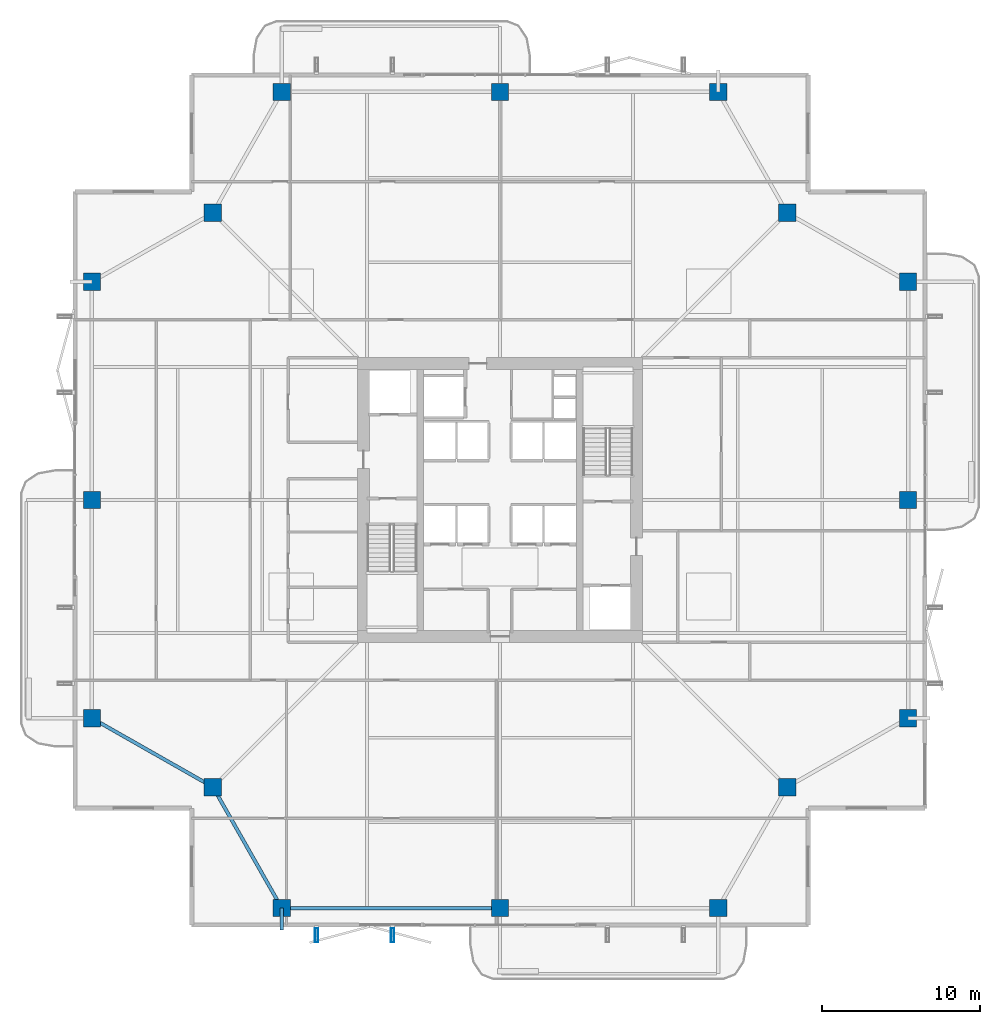
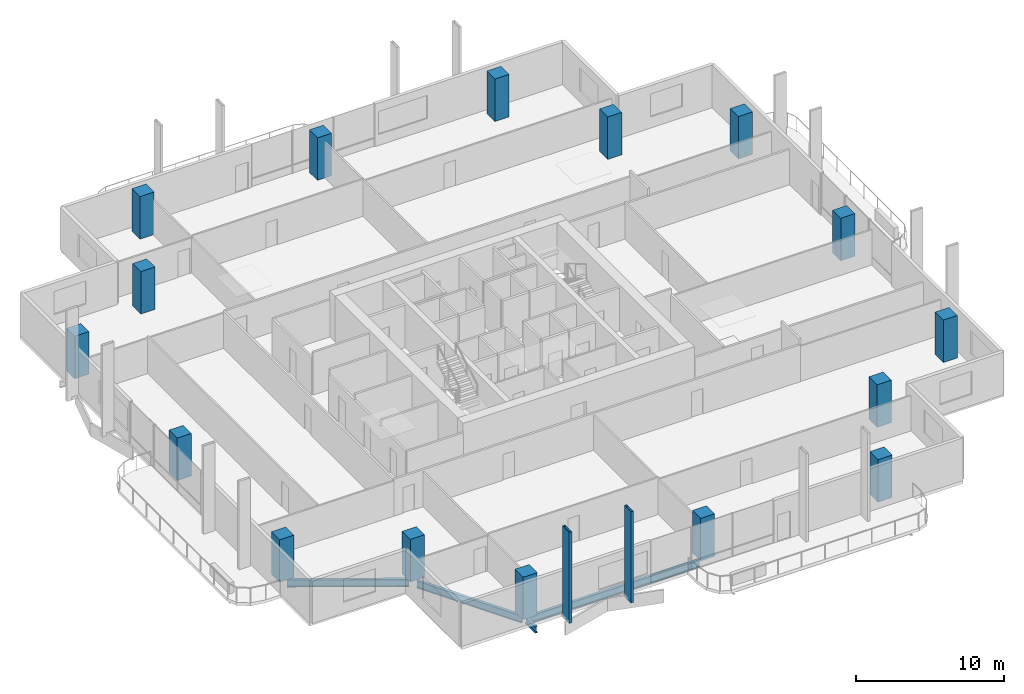
# One storey, part 1 of 24: 16 columns, 4 beams, 2 members.
"""IFC4 building model written with IfcOpenShell, lengths in metres."""

from ifc_helpers import new_model, si_unit, direction, frame, origin, origin_2d, place, context, subcontext, project, spatial, rectangle, hollow_rectangle, i_section, extrude, material, material_profile, profile_set, type_object, element, save


model = new_model("IFC4")

# Units and contexts
model_context = context("Model", 3, precision=1e-05, world=origin(), true_north=direction((0.0, 1.0)))
body_context = subcontext(model_context, "Body", "Model", "MODEL_VIEW")
ifc_project = project(units=[si_unit("LENGTHUNIT", "METRE"), si_unit("AREAUNIT", "SQUARE_METRE"), si_unit("VOLUMEUNIT", "CUBIC_METRE"), si_unit("PLANEANGLEUNIT", "RADIAN"), si_unit("MASSUNIT", "GRAM", prefix="KILO")], contexts=[model_context])

# Site, building, storey
site_placement = place(None, origin())
site = spatial("IfcSite", under=ifc_project, at=site_placement, CompositionType="ELEMENT")
building_placement = place(site_placement, origin())
building = spatial("IfcBuilding", under=site, at=building_placement, Name="Belovzor Exchange Tower", CompositionType="ELEMENT")
storey_placement = place(building_placement, frame((0.0, 0.0, 226.199951171875)))
storey = spatial("IfcBuildingStorey", under=building, at=storey_placement, Name="L56", CompositionType="ELEMENT", Elevation=226.199951171875)

# Columns
ifc_material_1 = material(Name="Concrete C50/60", Category="concrete")
ifc_material_profile_1 = material_profile(ifc_material_1, rectangle(XDim=1.10009765625, YDim=1.10009765625, at=origin_2d()))
ifc_profile_set_1 = profile_set([ifc_material_profile_1], Name="Concrete C50/60")
column_type = type_object("IfcColumnType", Name="Reinforced Concrete Tower Column 1100x1100", PredefinedType="COLUMN", material=ifc_profile_set_1)
for number, where, z_axis, x_axis, name in (
    (1, (15.0, 3.0, 0.0029296875), (0.0, 0.0, 1.0), (1.0, 0.0, 0.0), "COL-T110 Reinforced Concrete Tower Column 1100x1100"),
    (2, (28.800048828125, 3.0, 0.0029296875), (0.0, 0.0, 1.0), (1.0, 0.0, 0.0), "COL-T110 Reinforced Concrete Tower Column 1100x1100"),
    (3, (42.60009765625, 3.0, 0.0029296875), (0.0, 0.0, 1.0), (1.0, 0.0, 0.0), "COL-T110 Reinforced Concrete Tower Column 1100x1100"),
    (4, (54.60009765625, 15.0, 0.0029296875), (0.0, 0.0, 1.0), (1.0, 0.0, 0.0), "COL-T110 Reinforced Concrete Tower Column 1100x1100"),
    (5, (54.60009765625, 28.800048828125, 0.0029296875), (0.0, 0.0, 1.0), (1.0, 0.0, 0.0), "COL-T110 Reinforced Concrete Tower Column 1100x1100"),
    (6, (54.60009765625, 42.60009765625, 0.0029296875), (0.0, 0.0, 1.0), (1.0, 0.0, 0.0), "COL-T110 Reinforced Concrete Tower Column 1100x1100"),
    (7, (42.60009765625, 54.60009765625, 0.0029296875), (0.0, 0.0, 1.0), (1.0, 0.0, 0.0), "COL-T110 Reinforced Concrete Tower Column 1100x1100"),
    (8, (28.800048828125, 54.60009765625, 0.0029296875), (0.0, 0.0, 1.0), (1.0, 0.0, 0.0), "COL-T110 Reinforced Concrete Tower Column 1100x1100"),
    (9, (15.0, 54.60009765625, 0.0029296875), (0.0, 0.0, 1.0), (1.0, 0.0, 0.0), "COL-T110 Reinforced Concrete Tower Column 1100x1100"),
    (10, (3.0, 42.60009765625, 0.0029296875), (0.0, 0.0, 1.0), (1.0, 0.0, 0.0), "COL-T110 Reinforced Concrete Tower Column 1100x1100"),
    (11, (3.0, 28.800048828125, 0.0029296875), (0.0, 0.0, 1.0), (1.0, 0.0, 0.0), "COL-T110 Reinforced Concrete Tower Column 1100x1100"),
    (12, (3.0, 15.0, 0.0029296875), (0.0, 0.0, 1.0), (1.0, 0.0, 0.0), "COL-T110 Reinforced Concrete Tower Column 1100x1100"),
    (13, (10.64990234375, 10.64990234375, 0.0029296875), (0.0, 0.0, 1.0), (1.0, 0.0, 0.0), "COL-T110 Reinforced Concrete Tower Column 1100x1100"),
    (14, (46.949951171875, 10.64990234375, 0.0029296875), (0.0, 0.0, 1.0), (1.0, 0.0, 0.0), "COL-T110 Reinforced Concrete Tower Column 1100x1100"),
    (15, (46.949951171875, 46.949951171875, 0.0029296875), (0.0, 0.0, 1.0), (1.0, 0.0, 0.0), "COL-T110 Reinforced Concrete Tower Column 1100x1100"),
    (16, (10.64990234375, 46.949951171875, 0.0029296875), (0.0, 0.0, 1.0), (1.0, 0.0, 0.0), "COL-T110 Reinforced Concrete Tower Column 1100x1100"),
):
    element("IfcColumn", number, at=place(storey_placement, frame(where, z_axis=z_axis, x_axis=x_axis)), inside=storey, type_object=column_type, Name=name, PredefinedType="COLUMN", context=body_context, shape_type="SweptSolid", body=[
        extrude(rectangle(XDim=1.10009765625, YDim=1.10009765625, at=origin_2d()), origin(), (0.0, 0.0, 1.0), 3.494140625),
    ])

# Beam
ifc_material_2 = material(Name="Steel S355", Category="steel")
ifc_material_profile_2 = material_profile(ifc_material_2, i_section(OverallWidth=0.199951171875, OverallDepth=0.5, WebThickness=0.01025390625, FlangeThickness=0.01611328125, at=origin_2d()))
ifc_profile_set_2 = profile_set([ifc_material_profile_2], Name="Steel S355")
beam_type_1 = type_object("IfcBeamType", Name="Planted Balcony Cantilever Beam IPE 500", PredefinedType="BEAM", material=ifc_profile_set_2)
beam_1_placement = place(storey_placement, frame((15.0, 3.0, -0.5), z_axis=(0.0, -1.0, 0.0), x_axis=(1.0, 0.0, 0.0)))
element("IfcBeam", 17, at=beam_1_placement, inside=storey, type_object=beam_type_1, Name="BC-500 Planted Balcony Cantilever Beam IPE 500", PredefinedType="BEAM", context=body_context, shape_type="SweptSolid", body=[
    extrude(i_section(OverallWidth=0.199951171875, OverallDepth=0.5, WebThickness=0.01025390625, FlangeThickness=0.01611328125, at=origin_2d()), origin(), (0.0, 0.0, 1.0), 1.39990234375),
])

# Members
ifc_material_3 = material(Name="Extruded Architectural Terracotta on Steel S355 Carrier", Category="masonry")
ifc_material_profile_3 = material_profile(ifc_material_3, hollow_rectangle(XDim=0.199951171875, YDim=0.89990234375, WallThickness=0.011962890625, at=origin_2d()))
ifc_profile_set_3 = profile_set([ifc_material_profile_3], Name="Extruded Architectural Terracotta on Steel S355 Carrier")
member_type = type_object("IfcMemberType", Name="Sweeping Terracotta Baguette Fin Assembly 950", PredefinedType="USERDEFINED", material=ifc_profile_set_3)
for number, where, z_axis, x_axis, name in (
    (18, (17.199951171875, 1.27490234375, -0.25), (0.0, 0.0, 1.0), (1.0, 0.0, 0.0), "FIN-TC095 Terracotta Facade Fin L56 S1"),
    (19, (22.0, 1.27490234375, -0.25), (0.0, 0.0, 1.0), (1.0, 0.0, 0.0), "FIN-TC095 Terracotta Facade Fin L56 S2"),
):
    element("IfcMember", number, at=place(storey_placement, frame(where, z_axis=z_axis, x_axis=x_axis)), inside=storey, type_object=member_type, Name=name, ObjectType="FIN", PredefinedType="USERDEFINED", context=body_context, shape_type="SweptSolid", body=[
        extrude(hollow_rectangle(XDim=0.199951171875, YDim=0.89990234375, WallThickness=0.011962890625, at=origin_2d()), origin(), (0.0, 0.0, 1.0), 7.5),
    ])

# Beams
ifc_material_4 = material(Name="Steel S355", Category="steel")
ifc_material_profile_4 = material_profile(ifc_material_4, i_section(OverallWidth=0.219970703125, OverallDepth=0.60009765625, WebThickness=0.011962890625, FlangeThickness=0.01904296875, at=origin_2d()))
ifc_profile_set_4 = profile_set([ifc_material_profile_4], Name="Steel S355")
beam_type_2 = type_object("IfcBeamType", Name="Zone 4 Flare Primary Girder IPE 600", PredefinedType="BEAM", material=ifc_profile_set_4)
beam_2_placement = place(storey_placement, frame((10.800048828125, 10.386962890625, -0.550048828125), z_axis=(0.494222323641, -0.869335547884, 0.0), x_axis=(0.869335547884, 0.494222323641, 0.0)))
element("IfcBeam", 20, at=beam_2_placement, inside=storey, type_object=beam_type_2, Name="FG-Z4 Zone 4 Flare Primary Girder IPE 600", PredefinedType="BEAM", context=body_context, shape_type="SweptSolid", body=[
    extrude(i_section(OverallWidth=0.219970703125, OverallDepth=0.60009765625, WebThickness=0.011962890625, FlangeThickness=0.01904296875, at=origin_2d()), origin(), (0.0, 0.0, 1.0), 8.19482421875),
])
beam_3_placement = place(storey_placement, frame((15.302978515625, 3.0, -0.550048828125), z_axis=(1.0, 0.0, 0.0), x_axis=(0.0, 1.0, 0.0)))
element("IfcBeam", 21, at=beam_3_placement, inside=storey, type_object=beam_type_2, Name="FG-Z4 Zone 4 Flare Primary Girder IPE 600", PredefinedType="BEAM", context=body_context, shape_type="SweptSolid", body=[
    extrude(i_section(OverallWidth=0.219970703125, OverallDepth=0.60009765625, WebThickness=0.011962890625, FlangeThickness=0.01904296875, at=origin_2d()), origin(), (0.0, 0.0, 1.0), 13.195068359375),
])
beam_4_placement = place(storey_placement, frame((3.262939453125, 14.85009765625, -0.550048828125), z_axis=(0.869335547884, -0.494222323641, 0.0), x_axis=(0.494222323641, 0.869335547884, 0.0)))
element("IfcBeam", 22, at=beam_4_placement, inside=storey, type_object=beam_type_2, Name="FG-Z4 Zone 4 Flare Primary Girder IPE 600", PredefinedType="BEAM", context=body_context, shape_type="SweptSolid", body=[
    extrude(i_section(OverallWidth=0.219970703125, OverallDepth=0.60009765625, WebThickness=0.011962890625, FlangeThickness=0.01904296875, at=origin_2d()), origin(), (0.0, 0.0, 1.0), 8.19482421875),
])

save(model, "model.ifc")
